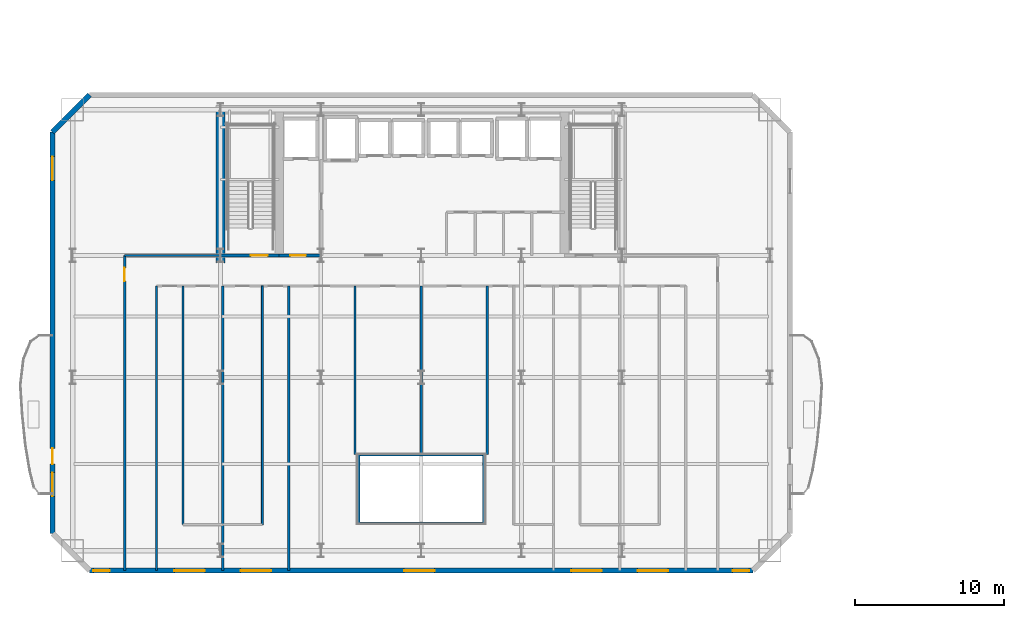
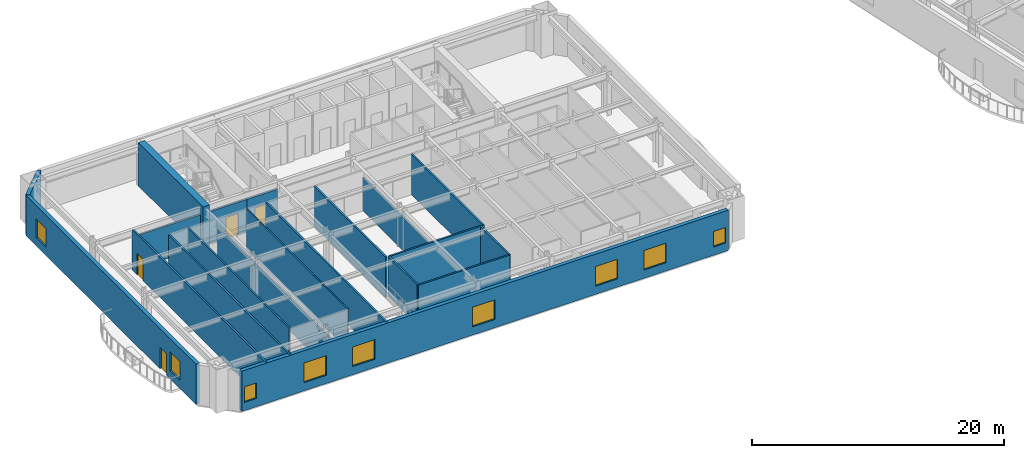
# One storey, part 5 of 15: 20 walls, 9 windows, 4 doors, 13 openings.
"""IFC4 building model written with IfcOpenShell, lengths in metres."""

from ifc_helpers import new_model, si_unit, direction, frame, frame_2d, origin, place, context, subcontext, project, spatial, rectangle, extrude, material, layer, layer_set, type_object, element, fill, save


model = new_model("IFC4")

# Units and contexts
model_context = context("Model", 3, precision=1e-05, world=origin(), true_north=direction((0.0, 1.0)))
body_context = subcontext(model_context, "Body", "Model", "MODEL_VIEW")
ifc_project = project(units=[si_unit("LENGTHUNIT", "METRE"), si_unit("AREAUNIT", "SQUARE_METRE"), si_unit("VOLUMEUNIT", "CUBIC_METRE"), si_unit("PLANEANGLEUNIT", "RADIAN"), si_unit("MASSUNIT", "GRAM", prefix="KILO")], contexts=[model_context])

# Site, building, storey
site_placement = place(None, origin())
site = spatial("IfcSite", under=ifc_project, at=site_placement, CompositionType="ELEMENT")
building_placement = place(site_placement, origin())
building = spatial("IfcBuilding", under=site, at=building_placement, Name="Haevon Station Towers", CompositionType="ELEMENT")
storey_placement = place(building_placement, frame((0.0, 0.0, 77.699951171875)))
storey = spatial("IfcBuildingStorey", under=building, at=storey_placement, Name="L20", CompositionType="ELEMENT", Elevation=77.699951171875)

# Wall, opening, door
ifc_material_1 = material(Name="Gypsum board on steel stud", Category="steel")
ifc_layer_1 = layer(ifc_material_1, 0.199951171875)
ifc_layer_set_1 = layer_set([ifc_layer_1], Name="Gypsum board on steel stud")
wall_type_1 = type_object("IfcWallType", Name="WL-COR200", PredefinedType="PARTITIONING", material=ifc_layer_set_1)
wall_1_placement = place(storey_placement, frame((24.0, 38.199951171875, 0.0), z_axis=(0.0, 0.0, 1.0), x_axis=(1.0, 0.0, 0.0)))
wall_1 = element("IfcWall", 1, at=wall_1_placement, inside=storey, type_object=wall_type_1, Name="WL-ST-ST1-L20", PredefinedType="PARTITIONING", context=body_context, shape_type="SweptSolid", body=[
    extrude(rectangle(XDim=3.949951171875, YDim=0.199951171875, at=frame_2d((1.97509765625, 0.0))), origin(), (0.0, 0.0, 1.0), 3.199951171875),
])
opening_1_placement = place(wall_1_placement, frame((2.050048828125, 0.0, 0.0)))
opening_1 = element("IfcOpeningElement", 2, at=opening_1_placement, cuts=wall_1, Name="Opening DR-ST-ST1-L20", PredefinedType="OPENING", context=body_context, shape_type="SweptSolid", body=[
    extrude(rectangle(XDim=1.1201171875, YDim=2.10009765625, at=frame_2d((0.56005859375, 1.050048828125))), frame((0.0, 0.10986328125, 0.0), z_axis=(0.0, -1.0, 0.0), x_axis=(1.0, 0.0, 0.0)), (0.0, 0.0, 1.0), 0.219970703125),
])
ifc_material_2 = material(Name="Engineered oak timber", Category="wood")
door_type_1 = type_object("IfcDoorType", Name="DR-ST-1120", OperationType="NOTDEFINED", PredefinedType="DOOR", material=ifc_material_2)
door_1_placement = place(opening_1_placement, origin())
door_1 = element("IfcDoor", 3, at=door_1_placement, inside=storey, type_object=door_type_1, Name="L20 Escape Stair ST1 Fire Door", OperationType="SINGLE_SWING_RIGHT", OverallHeight=2.10009765625, OverallWidth=1.1201171875, PredefinedType="DOOR", context=body_context, shape_type="SweptSolid", body=[
    extrude(rectangle(XDim=1.1201171875, YDim=2.10009765625, at=frame_2d((0.56005859375, 1.050048828125))), frame((0.0, 0.02490234375, 0.0), z_axis=(0.0, -1.0, 0.0), x_axis=(1.0, 0.0, 0.0)), (0.0, 0.0, 1.0), 0.050048828125),
])
fill(opening_1, door_1)

wall_2_placement = place(storey_placement, frame((27.949951171875, 38.199951171875, 0.0), z_axis=(0.0, 0.0, 1.0), x_axis=(1.0, 0.0, 0.0)))
wall_2 = element("IfcWall", 4, at=wall_2_placement, inside=storey, type_object=wall_type_1, Name="WL-T1FFL-L20-S", PredefinedType="PARTITIONING", context=body_context, shape_type="SweptSolid", body=[
    extrude(rectangle(XDim=2.85009765625, YDim=0.199951171875, at=frame_2d((1.425048828125, 0.0))), origin(), (0.0, 0.0, 1.0), 3.199951171875),
])
opening_2_placement = place(wall_2_placement, frame((0.75, 0.0, 0.0)))
opening_2 = element("IfcOpeningElement", 5, at=opening_2_placement, cuts=wall_2, Name="Opening DR-T1FFL-L20-S", PredefinedType="OPENING", context=body_context, shape_type="SweptSolid", body=[
    extrude(rectangle(XDim=1.050048828125, YDim=2.10009765625, at=frame_2d((0.52490234375, 1.050048828125))), frame((0.0, 0.10986328125, 0.0), z_axis=(0.0, -1.0, 0.0), x_axis=(1.0, 0.0, 0.0)), (0.0, 0.0, 1.0), 0.219970703125),
])
door_type_2 = type_object("IfcDoorType", Name="DR-FD60-1050", OperationType="NOTDEFINED", PredefinedType="DOOR", material=ifc_material_2)
door_2_placement = place(opening_2_placement, origin())
door_2 = element("IfcDoor", 6, at=door_2_placement, inside=storey, type_object=door_type_2, Name="L20 Tower 1 Firefighting Lift Lobby Door S", OperationType="SINGLE_SWING_LEFT", OverallHeight=2.10009765625, OverallWidth=1.050048828125, PredefinedType="DOOR", context=body_context, shape_type="SweptSolid", body=[
    extrude(rectangle(XDim=1.050048828125, YDim=2.10009765625, at=frame_2d((0.52490234375, 1.050048828125))), frame((0.0, 0.02490234375, 0.0), z_axis=(0.0, -1.0, 0.0), x_axis=(1.0, 0.0, 0.0)), (0.0, 0.0, 1.0), 0.050048828125),
])
fill(opening_2, door_2)

# Wall
ifc_material_3 = material(Name="Concrete C60/75", Category="concrete")
ifc_layer_2 = layer(ifc_material_3, 0.60009765625)
ifc_layer_set_2 = layer_set([ifc_layer_2], Name="Concrete C60/75")
wall_type_2 = type_object("IfcWallType", Name="WL-CR600", PredefinedType="SHEAR", material=ifc_layer_set_2)
wall_3_placement = place(storey_placement, frame((24.0, 37.679931640625, 0.0), z_axis=(0.0, 0.0, 1.0), x_axis=(0.0, 1.0, 0.0)))
element("IfcWall", 7, at=wall_3_placement, inside=storey, type_object=wall_type_2, Name="WL-T1CR-L20-W", PredefinedType="SHEAR", context=body_context, shape_type="SweptSolid", body=[
    extrude(rectangle(XDim=10.320068359375, YDim=0.60009765625, at=frame_2d((5.16015625, 0.0))), origin(), (0.0, 0.0, 1.0), 4.199951171875),
])

# Wall, openings, windows
ifc_material_4 = material(Name="Precast concrete C45/55", Category="concrete")
ifc_layer_3 = layer(ifc_material_4, 0.340087890625)
ifc_layer_set_3 = layer_set([ifc_layer_3], Name="Precast concrete C45/55")
wall_type_3 = type_object("IfcWallType", Name="WL-EXT-PIER340", PredefinedType="SOLIDWALL", material=ifc_layer_set_3)
wall_4_placement = place(storey_placement, frame((59.800048828125, 17.0, 0.0), z_axis=(0.0, 0.0, 1.0), x_axis=(-1.0, 0.0, 0.0)))
wall_4 = element("IfcWall", 8, at=wall_4_placement, inside=storey, type_object=wall_type_3, Name="WL-T1-L20-S", PredefinedType="SOLIDWALL", context=body_context, shape_type="SweptSolid", body=[
    extrude(rectangle(XDim=44.60009765625, YDim=0.340087890625, at=frame_2d((22.300048828125, 0.0))), origin(), (0.0, 0.0, 1.0), 3.900146484375),
])
opening_3_placement = place(wall_4_placement, frame((43.25, 0.0, 0.800048828125)))
opening_3 = element("IfcOpeningElement", 9, at=opening_3_placement, cuts=wall_4, Name="Opening WN-COR110", PredefinedType="OPENING", context=body_context, shape_type="SweptSolid", body=[
    extrude(rectangle(XDim=1.10009765625, YDim=1.5, at=frame_2d((0.550048828125, 0.75))), frame((0.0, 0.179931640625, 0.0), z_axis=(0.0, -1.0, 0.0), x_axis=(1.0, 0.0, 0.0)), (0.0, 0.0, 1.0), 0.360107421875),
])
opening_4_placement = place(wall_4_placement, frame((0.25, 0.0, 0.800048828125)))
opening_4 = element("IfcOpeningElement", 10, at=opening_4_placement, cuts=wall_4, Name="Opening WN-COR110", PredefinedType="OPENING", context=body_context, shape_type="SweptSolid", body=[
    extrude(rectangle(XDim=1.10009765625, YDim=1.5, at=frame_2d((0.550048828125, 0.75))), frame((0.0, 0.179931640625, 0.0), z_axis=(0.0, -1.0, 0.0), x_axis=(1.0, 0.0, 0.0)), (0.0, 0.0, 1.0), 0.360107421875),
])
opening_5_placement = place(wall_4_placement, frame((36.85009765625, 0.0, 0.800048828125)))
opening_5 = element("IfcOpeningElement", 11, at=opening_5_placement, cuts=wall_4, Name="Opening WN-P205", PredefinedType="OPENING", context=body_context, shape_type="SweptSolid", body=[
    extrude(rectangle(XDim=2.050048828125, YDim=1.89990234375, at=frame_2d((1.02490234375, 0.949951171875))), frame((0.0, 0.179931640625, 0.0), z_axis=(0.0, -1.0, 0.0), x_axis=(1.0, 0.0, 0.0)), (0.0, 0.0, 1.0), 0.360107421875),
])
opening_6_placement = place(wall_4_placement, frame((32.39990234375, 0.0, 0.800048828125)))
opening_6 = element("IfcOpeningElement", 12, at=opening_6_placement, cuts=wall_4, Name="Opening WN-P205", PredefinedType="OPENING", context=body_context, shape_type="SweptSolid", body=[
    extrude(rectangle(XDim=2.050048828125, YDim=1.89990234375, at=frame_2d((1.02490234375, 0.949951171875))), frame((0.0, 0.179931640625, 0.0), z_axis=(0.0, -1.0, 0.0), x_axis=(1.0, 0.0, 0.0)), (0.0, 0.0, 1.0), 0.360107421875),
])
opening_7_placement = place(wall_4_placement, frame((21.39208984375, 0.0, 0.800048828125)))
opening_7 = element("IfcOpeningElement", 13, at=opening_7_placement, cuts=wall_4, Name="Opening WN-P205", PredefinedType="OPENING", context=body_context, shape_type="SweptSolid", body=[
    extrude(rectangle(XDim=2.050048828125, YDim=1.89990234375, at=frame_2d((1.02490234375, 0.949951171875))), frame((0.0, 0.179931640625, 0.0), z_axis=(0.0, -1.0, 0.0), x_axis=(1.0, 0.0, 0.0)), (0.0, 0.0, 1.0), 0.360107421875),
])
opening_8_placement = place(wall_4_placement, frame((10.14990234375, 0.0, 0.800048828125)))
opening_8 = element("IfcOpeningElement", 14, at=opening_8_placement, cuts=wall_4, Name="Opening WN-P205", PredefinedType="OPENING", context=body_context, shape_type="SweptSolid", body=[
    extrude(rectangle(XDim=2.050048828125, YDim=1.89990234375, at=frame_2d((1.02490234375, 0.949951171875))), frame((0.0, 0.179931640625, 0.0), z_axis=(0.0, -1.0, 0.0), x_axis=(1.0, 0.0, 0.0)), (0.0, 0.0, 1.0), 0.360107421875),
])
opening_9_placement = place(wall_4_placement, frame((5.699951171875, 0.0, 0.800048828125)))
opening_9 = element("IfcOpeningElement", 15, at=opening_9_placement, cuts=wall_4, Name="Opening WN-P205", PredefinedType="OPENING", context=body_context, shape_type="SweptSolid", body=[
    extrude(rectangle(XDim=2.050048828125, YDim=1.89990234375, at=frame_2d((1.02490234375, 0.949951171875))), frame((0.0, 0.179931640625, 0.0), z_axis=(0.0, -1.0, 0.0), x_axis=(1.0, 0.0, 0.0)), (0.0, 0.0, 1.0), 0.360107421875),
])
ifc_material_5 = material(Name="Low-E triple glazing in thermally broken aluminium", Category="aluminium")
window_type_1 = type_object("IfcWindowType", Name="WN-COR110", PartitioningType="SINGLE_PANEL", PredefinedType="WINDOW", material=ifc_material_5)
window_1_placement = place(opening_3_placement, origin())
window_1 = element("IfcWindow", 16, at=window_1_placement, inside=storey, type_object=window_type_1, Name="WN-T1-L20-S01", OverallHeight=1.5, OverallWidth=1.10009765625, PartitioningType="SINGLE_PANEL", PredefinedType="WINDOW", context=body_context, shape_type="SweptSolid", body=[
    extrude(rectangle(XDim=1.10009765625, YDim=1.5, at=frame_2d((0.550048828125, 0.75))), frame((0.0, 0.030029296875, 0.0), z_axis=(0.0, -1.0, 0.0), x_axis=(1.0, 0.0, 0.0)), (0.0, 0.0, 1.0), 0.06005859375),
])
fill(opening_3, window_1)
window_2_placement = place(opening_4_placement, origin())
window_2 = element("IfcWindow", 17, at=window_2_placement, inside=storey, type_object=window_type_1, Name="WN-T1-L20-S02", OverallHeight=1.5, OverallWidth=1.10009765625, PartitioningType="SINGLE_PANEL", PredefinedType="WINDOW", context=body_context, shape_type="SweptSolid", body=[
    extrude(rectangle(XDim=1.10009765625, YDim=1.5, at=frame_2d((0.550048828125, 0.75))), frame((0.0, 0.030029296875, 0.0), z_axis=(0.0, -1.0, 0.0), x_axis=(1.0, 0.0, 0.0)), (0.0, 0.0, 1.0), 0.06005859375),
])
fill(opening_4, window_2)
window_type_2 = type_object("IfcWindowType", Name="WN-P205", PartitioningType="SINGLE_PANEL", PredefinedType="WINDOW", material=ifc_material_5)
window_3_placement = place(opening_5_placement, origin())
window_3 = element("IfcWindow", 18, at=window_3_placement, inside=storey, type_object=window_type_2, Name="WN-T1-L20-S03", OverallHeight=1.89990234375, OverallWidth=2.050048828125, PartitioningType="SINGLE_PANEL", PredefinedType="WINDOW", context=body_context, shape_type="SweptSolid", body=[
    extrude(rectangle(XDim=2.050048828125, YDim=1.89990234375, at=frame_2d((1.02490234375, 0.949951171875))), frame((0.0, 0.030029296875, 0.0), z_axis=(0.0, -1.0, 0.0), x_axis=(1.0, 0.0, 0.0)), (0.0, 0.0, 1.0), 0.06005859375),
])
fill(opening_5, window_3)
window_4_placement = place(opening_6_placement, origin())
window_4 = element("IfcWindow", 19, at=window_4_placement, inside=storey, type_object=window_type_2, Name="WN-T1-L20-S04", OverallHeight=1.89990234375, OverallWidth=2.050048828125, PartitioningType="SINGLE_PANEL", PredefinedType="WINDOW", context=body_context, shape_type="SweptSolid", body=[
    extrude(rectangle(XDim=2.050048828125, YDim=1.89990234375, at=frame_2d((1.02490234375, 0.949951171875))), frame((0.0, 0.030029296875, 0.0), z_axis=(0.0, -1.0, 0.0), x_axis=(1.0, 0.0, 0.0)), (0.0, 0.0, 1.0), 0.06005859375),
])
fill(opening_6, window_4)
window_5_placement = place(opening_7_placement, origin())
window_5 = element("IfcWindow", 20, at=window_5_placement, inside=storey, type_object=window_type_2, Name="WN-T1-L20-S05", OverallHeight=1.89990234375, OverallWidth=2.050048828125, PartitioningType="SINGLE_PANEL", PredefinedType="WINDOW", context=body_context, shape_type="SweptSolid", body=[
    extrude(rectangle(XDim=2.050048828125, YDim=1.89990234375, at=frame_2d((1.02490234375, 0.949951171875))), frame((0.0, 0.030029296875, 0.0), z_axis=(0.0, -1.0, 0.0), x_axis=(1.0, 0.0, 0.0)), (0.0, 0.0, 1.0), 0.06005859375),
])
fill(opening_7, window_5)
window_6_placement = place(opening_8_placement, origin())
window_6 = element("IfcWindow", 21, at=window_6_placement, inside=storey, type_object=window_type_2, Name="WN-T1-L20-S06", OverallHeight=1.89990234375, OverallWidth=2.050048828125, PartitioningType="SINGLE_PANEL", PredefinedType="WINDOW", context=body_context, shape_type="SweptSolid", body=[
    extrude(rectangle(XDim=2.050048828125, YDim=1.89990234375, at=frame_2d((1.02490234375, 0.949951171875))), frame((0.0, 0.030029296875, 0.0), z_axis=(0.0, -1.0, 0.0), x_axis=(1.0, 0.0, 0.0)), (0.0, 0.0, 1.0), 0.06005859375),
])
fill(opening_8, window_6)
window_7_placement = place(opening_9_placement, origin())
window_7 = element("IfcWindow", 22, at=window_7_placement, inside=storey, type_object=window_type_2, Name="WN-T1-L20-S07", OverallHeight=1.89990234375, OverallWidth=2.050048828125, PartitioningType="SINGLE_PANEL", PredefinedType="WINDOW", context=body_context, shape_type="SweptSolid", body=[
    extrude(rectangle(XDim=2.050048828125, YDim=1.89990234375, at=frame_2d((1.02490234375, 0.949951171875))), frame((0.0, 0.030029296875, 0.0), z_axis=(0.0, -1.0, 0.0), x_axis=(1.0, 0.0, 0.0)), (0.0, 0.0, 1.0), 0.06005859375),
])
fill(opening_9, window_7)

# Wall, openings, door, windows
wall_5_placement = place(storey_placement, frame((12.699951171875, 19.5, 0.0), z_axis=(0.0, 0.0, 1.0), x_axis=(0.0, 1.0, 0.0)))
wall_5 = element("IfcWall", 23, at=wall_5_placement, inside=storey, type_object=wall_type_3, Name="WL-T1-L20-W", PredefinedType="SOLIDWALL", context=body_context, shape_type="SweptSolid", body=[
    extrude(rectangle(XDim=27.0, YDim=0.340087890625, at=frame_2d((13.5, 0.0))), origin(), (0.0, 0.0, 1.0), 3.900146484375),
])
opening_10_placement = place(wall_5_placement, frame((4.675048828125, 0.0, 0.0)))
opening_10 = element("IfcOpeningElement", 24, at=opening_10_placement, cuts=wall_5, Name="Opening DR-T1-SCAL-L20-W", PredefinedType="OPENING", context=body_context, shape_type="SweptSolid", body=[
    extrude(rectangle(XDim=1.050048828125, YDim=2.10009765625, at=frame_2d((0.52490234375, 1.050048828125))), frame((0.0, 0.179931640625, 0.0), z_axis=(0.0, -1.0, 0.0), x_axis=(1.0, 0.0, 0.0)), (0.0, 0.0, 1.0), 0.360107421875),
])
opening_11_placement = place(wall_5_placement, frame((2.5, 0.0, 0.800048828125)))
opening_11 = element("IfcOpeningElement", 25, at=opening_11_placement, cuts=wall_5, Name="Opening WN-END160", PredefinedType="OPENING", context=body_context, shape_type="SweptSolid", body=[
    extrude(rectangle(XDim=1.60009765625, YDim=1.800048828125, at=frame_2d((0.800048828125, 0.89990234375))), frame((0.0, 0.179931640625, 0.0), z_axis=(0.0, -1.0, 0.0), x_axis=(1.0, 0.0, 0.0)), (0.0, 0.0, 1.0), 0.360107421875),
])
opening_12_placement = place(wall_5_placement, frame((23.75, 0.0, 0.800048828125)))
opening_12 = element("IfcOpeningElement", 26, at=opening_12_placement, cuts=wall_5, Name="Opening WN-END160", PredefinedType="OPENING", context=body_context, shape_type="SweptSolid", body=[
    extrude(rectangle(XDim=1.60009765625, YDim=1.800048828125, at=frame_2d((0.800048828125, 0.89990234375))), frame((0.0, 0.179931640625, 0.0), z_axis=(0.0, -1.0, 0.0), x_axis=(1.0, 0.0, 0.0)), (0.0, 0.0, 1.0), 0.360107421875),
])
ifc_material_6 = material(Name="Thermally broken anodised aluminium and laminated safety glass", Category="aluminium")
door_type_3 = type_object("IfcDoorType", Name="DR-BALC-1050", OperationType="NOTDEFINED", PredefinedType="DOOR", material=ifc_material_6)
door_3_placement = place(opening_10_placement, origin())
door_3 = element("IfcDoor", 27, at=door_3_placement, inside=storey, type_object=door_type_3, Name="Tower 1 L20 West Scalloped Balcony Door", OperationType="SINGLE_SWING_RIGHT", OverallHeight=2.10009765625, OverallWidth=1.050048828125, PredefinedType="DOOR", context=body_context, shape_type="SweptSolid", body=[
    extrude(rectangle(XDim=1.050048828125, YDim=2.10009765625, at=frame_2d((0.52490234375, 1.050048828125))), frame((0.0, 0.02490234375, 0.0), z_axis=(0.0, -1.0, 0.0), x_axis=(1.0, 0.0, 0.0)), (0.0, 0.0, 1.0), 0.050048828125),
])
fill(opening_10, door_3)
window_type_3 = type_object("IfcWindowType", Name="WN-END160", PartitioningType="SINGLE_PANEL", PredefinedType="WINDOW", material=ifc_material_5)
window_8_placement = place(opening_11_placement, origin())
window_8 = element("IfcWindow", 28, at=window_8_placement, inside=storey, type_object=window_type_3, Name="WN-T1-L20-W01", OverallHeight=1.800048828125, OverallWidth=1.60009765625, PartitioningType="SINGLE_PANEL", PredefinedType="WINDOW", context=body_context, shape_type="SweptSolid", body=[
    extrude(rectangle(XDim=1.60009765625, YDim=1.800048828125, at=frame_2d((0.800048828125, 0.89990234375))), frame((0.0, 0.030029296875, 0.0), z_axis=(0.0, -1.0, 0.0), x_axis=(1.0, 0.0, 0.0)), (0.0, 0.0, 1.0), 0.06005859375),
])
fill(opening_11, window_8)
window_9_placement = place(opening_12_placement, origin())
window_9 = element("IfcWindow", 29, at=window_9_placement, inside=storey, type_object=window_type_3, Name="WN-T1-L20-W02", OverallHeight=1.800048828125, OverallWidth=1.60009765625, PartitioningType="SINGLE_PANEL", PredefinedType="WINDOW", context=body_context, shape_type="SweptSolid", body=[
    extrude(rectangle(XDim=1.60009765625, YDim=1.800048828125, at=frame_2d((0.800048828125, 0.89990234375))), frame((0.0, 0.030029296875, 0.0), z_axis=(0.0, -1.0, 0.0), x_axis=(1.0, 0.0, 0.0)), (0.0, 0.0, 1.0), 0.06005859375),
])
fill(opening_12, window_9)

# Walls
wall_6_placement = place(storey_placement, frame((12.699951171875, 46.5, 0.0), z_axis=(0.0, 0.0, 1.0), x_axis=(0.707106781187, 0.707106781187, 0.0)))
element("IfcWall", 30, at=wall_6_placement, inside=storey, type_object=wall_type_3, Name="WL-T1-L20-NWC", PredefinedType="SOLIDWALL", context=body_context, shape_type="SweptSolid", body=[
    extrude(rectangle(XDim=3.53564453125, YDim=0.340087890625, at=frame_2d((1.767822265625, 0.0))), origin(), (0.0, 0.0, 1.0), 3.900146484375),
])
ifc_layer_4 = layer(ifc_material_1, 0.125)
ifc_layer_set_4 = layer_set([ifc_layer_4], Name="Gypsum board on steel stud")
wall_type_4 = type_object("IfcWallType", Name="WL-PRT125", PredefinedType="PARTITIONING", material=ifc_layer_set_4)
wall_7_placement = place(storey_placement, frame((26.820068359375, 20.10009765625, 0.0), z_axis=(0.0, 0.0, 1.0), x_axis=(0.0, 1.0, 0.0)))
element("IfcWall", 31, at=wall_7_placement, inside=storey, type_object=wall_type_4, Name="WL-T1PT-L20-15", PredefinedType="PARTITIONING", context=body_context, shape_type="SweptSolid", body=[
    extrude(rectangle(XDim=16.0498046875, YDim=0.125, at=frame_2d((8.02490234375, 0.0))), origin(), (0.0, 0.0, 1.0), 3.900146484375),
])
ifc_layer_5 = layer(ifc_material_1, 0.139892578125)
ifc_layer_set_5 = layer_set([ifc_layer_5], Name="Gypsum board on steel stud")
wall_type_5 = type_object("IfcWallType", Name="WL-PRT140", PredefinedType="PARTITIONING", material=ifc_layer_set_5)
wall_8_placement = place(storey_placement, frame((21.47998046875, 20.10009765625, 0.0), z_axis=(0.0, 0.0, 1.0), x_axis=(0.0, 1.0, 0.0)))
element("IfcWall", 32, at=wall_8_placement, inside=storey, type_object=wall_type_5, Name="WL-T1PT-L20-12", PredefinedType="PARTITIONING", context=body_context, shape_type="SweptSolid", body=[
    extrude(rectangle(XDim=16.0498046875, YDim=0.139892578125, at=frame_2d((8.02490234375, 0.0))), origin(), (0.0, 0.0, 1.0), 3.900146484375),
])
ifc_layer_6 = layer(ifc_material_1, 0.159912109375)
ifc_layer_set_6 = layer_set([ifc_layer_6], Name="Gypsum board on steel stud")
wall_type_6 = type_object("IfcWallType", Name="WL-PRT160", PredefinedType="PARTITIONING", material=ifc_layer_set_6)
wall_9_placement = place(storey_placement, frame((19.699951171875, 17.0, 0.0), z_axis=(0.0, 0.0, 1.0), x_axis=(0.0, 1.0, 0.0)))
element("IfcWall", 33, at=wall_9_placement, inside=storey, type_object=wall_type_6, Name="WL-T1PT-L20-01", PredefinedType="PARTITIONING", context=body_context, shape_type="SweptSolid", body=[
    extrude(rectangle(XDim=19.14990234375, YDim=0.159912109375, at=frame_2d((9.574951171875, 0.0))), origin(), (0.0, 0.0, 1.0), 3.900146484375),
])
wall_10_placement = place(storey_placement, frame((17.550048828125, 38.199951171875, 0.0), z_axis=(0.0, 0.0, 1.0), x_axis=(1.0, 0.0, 0.0)))
element("IfcWall", 34, at=wall_10_placement, inside=storey, type_object=wall_type_6, Name="WL-T1PT-L20-03", PredefinedType="PARTITIONING", context=body_context, shape_type="SweptSolid", body=[
    extrude(rectangle(XDim=6.449951171875, YDim=0.159912109375, at=frame_2d((3.22509765625, 0.0))), origin(), (0.0, 0.0, 1.0), 3.199951171875),
])

# Wall, opening, door
wall_11_placement = place(storey_placement, frame((17.550048828125, 17.0, 0.0), z_axis=(0.0, 0.0, 1.0), x_axis=(0.0, 1.0, 0.0)))
wall_11 = element("IfcWall", 35, at=wall_11_placement, inside=storey, type_object=wall_type_6, Name="WL-T1PT-L20-05", PredefinedType="PARTITIONING", context=body_context, shape_type="SweptSolid", body=[
    extrude(rectangle(XDim=21.199951171875, YDim=0.159912109375, at=frame_2d((10.60009765625, 0.0))), origin(), (0.0, 0.0, 1.0), 3.900146484375),
])
opening_13_placement = place(wall_11_placement, frame((19.469970703125, 0.0, 0.0)))
opening_13 = element("IfcOpeningElement", 36, at=opening_13_placement, cuts=wall_11, Name="Opening DR-WL-T1PT-L20-05-01", PredefinedType="OPENING", context=body_context, shape_type="SweptSolid", body=[
    extrude(rectangle(XDim=0.89990234375, YDim=2.050048828125, at=frame_2d((0.449951171875, 1.02490234375))), frame((0.0, 0.08984375, 0.0), z_axis=(0.0, -1.0, 0.0), x_axis=(1.0, 0.0, 0.0)), (0.0, 0.0, 1.0), 0.179931640625),
])
door_type_4 = type_object("IfcDoorType", Name="DR-INT-900", OperationType="NOTDEFINED", PredefinedType="DOOR", material=ifc_material_2)
door_4_placement = place(opening_13_placement, origin())
door_4 = element("IfcDoor", 37, at=door_4_placement, inside=storey, type_object=door_type_4, Name="L20 Tower 1 Room Door 5-1", OperationType="SINGLE_SWING_RIGHT", OverallHeight=2.050048828125, OverallWidth=0.89990234375, PredefinedType="DOOR", context=body_context, shape_type="SweptSolid", body=[
    extrude(rectangle(XDim=0.89990234375, YDim=2.050048828125, at=frame_2d((0.449951171875, 1.02490234375))), frame((0.0, 0.02490234375, 0.0), z_axis=(0.0, -1.0, 0.0), x_axis=(1.0, 0.0, 0.0)), (0.0, 0.0, 1.0), 0.050048828125),
])
fill(opening_13, door_4)

# Walls
for number, where, z_axis, x_axis, name in (
    (38, (33.300048828125, 20.199951171875, 0.0), (0.0, 0.0, 1.0), (1.0, 0.0, 0.0), "WL-T1PT-L20-07"),
    (39, (33.300048828125, 24.800048828125, 0.0), (0.0, 0.0, 1.0), (1.0, 0.0, 0.0), "WL-T1PT-L20-08"),
):
    element("IfcWall", number, at=place(storey_placement, frame(where, z_axis=z_axis, x_axis=x_axis)), inside=storey, type_object=wall_type_6, Name=name, PredefinedType="PARTITIONING", context=body_context, shape_type="SweptSolid", body=[
        extrude(rectangle(XDim=8.39990234375, YDim=0.159912109375, at=frame_2d((4.199951171875, 0.0))), origin(), (0.0, 0.0, 1.0), 3.900146484375),
    ])
for number, where, z_axis, x_axis, name in (
    (40, (33.300048828125, 20.199951171875, 0.0), (0.0, 0.0, 1.0), (0.0, 1.0, 0.0), "WL-T1PT-L20-09"),
    (41, (41.699951171875, 20.199951171875, 0.0), (0.0, 0.0, 1.0), (0.0, 1.0, 0.0), "WL-T1PT-L20-10"),
):
    element("IfcWall", number, at=place(storey_placement, frame(where, z_axis=z_axis, x_axis=x_axis)), inside=storey, type_object=wall_type_6, Name=name, PredefinedType="PARTITIONING", context=body_context, shape_type="SweptSolid", body=[
        extrude(rectangle(XDim=4.60009765625, YDim=0.159912109375, at=frame_2d((2.300048828125, 0.0))), origin(), (0.0, 0.0, 1.0), 3.900146484375),
    ])
wall_12_placement = place(storey_placement, frame((24.14990234375, 17.0, 0.0), z_axis=(0.0, 0.0, 1.0), x_axis=(0.0, 1.0, 0.0)))
element("IfcWall", 42, at=wall_12_placement, inside=storey, type_object=wall_type_6, Name="WL-T1PT-L20-13", PredefinedType="PARTITIONING", context=body_context, shape_type="SweptSolid", body=[
    extrude(rectangle(XDim=19.14990234375, YDim=0.159912109375, at=frame_2d((9.574951171875, 0.0))), origin(), (0.0, 0.0, 1.0), 3.199951171875),
])
wall_13_placement = place(storey_placement, frame((28.60009765625, 17.0, 0.0), z_axis=(0.0, 0.0, 1.0), x_axis=(0.0, 1.0, 0.0)))
element("IfcWall", 43, at=wall_13_placement, inside=storey, type_object=wall_type_6, Name="WL-T1PT-L20-16", PredefinedType="PARTITIONING", context=body_context, shape_type="SweptSolid", body=[
    extrude(rectangle(XDim=19.14990234375, YDim=0.159912109375, at=frame_2d((9.574951171875, 0.0))), origin(), (0.0, 0.0, 1.0), 3.900146484375),
])
wall_14_placement = place(storey_placement, frame((33.050048828125, 24.800048828125, 0.0), z_axis=(0.0, 0.0, 1.0), x_axis=(0.0, 1.0, 0.0)))
element("IfcWall", 44, at=wall_14_placement, inside=storey, type_object=wall_type_6, Name="WL-T1PT-L20-17", PredefinedType="PARTITIONING", context=body_context, shape_type="SweptSolid", body=[
    extrude(rectangle(XDim=11.349853515625, YDim=0.159912109375, at=frame_2d((5.6748046875, 0.0))), origin(), (0.0, 0.0, 1.0), 3.900146484375),
])
wall_15_placement = place(storey_placement, frame((37.5, 24.800048828125, 0.0), z_axis=(0.0, 0.0, 1.0), x_axis=(0.0, 1.0, 0.0)))
element("IfcWall", 45, at=wall_15_placement, inside=storey, type_object=wall_type_6, Name="WL-T1PT-L20-18", PredefinedType="PARTITIONING", context=body_context, shape_type="SweptSolid", body=[
    extrude(rectangle(XDim=11.349853515625, YDim=0.159912109375, at=frame_2d((5.6748046875, 0.0))), origin(), (0.0, 0.0, 1.0), 3.199951171875),
])
wall_16_placement = place(storey_placement, frame((41.949951171875, 24.800048828125, 0.0), z_axis=(0.0, 0.0, 1.0), x_axis=(0.0, 1.0, 0.0)))
element("IfcWall", 46, at=wall_16_placement, inside=storey, type_object=wall_type_6, Name="WL-T1PT-L20-20", PredefinedType="PARTITIONING", context=body_context, shape_type="SweptSolid", body=[
    extrude(rectangle(XDim=11.349853515625, YDim=0.159912109375, at=frame_2d((5.6748046875, 0.0))), origin(), (0.0, 0.0, 1.0), 3.900146484375),
])

save(model, "model.ifc")
